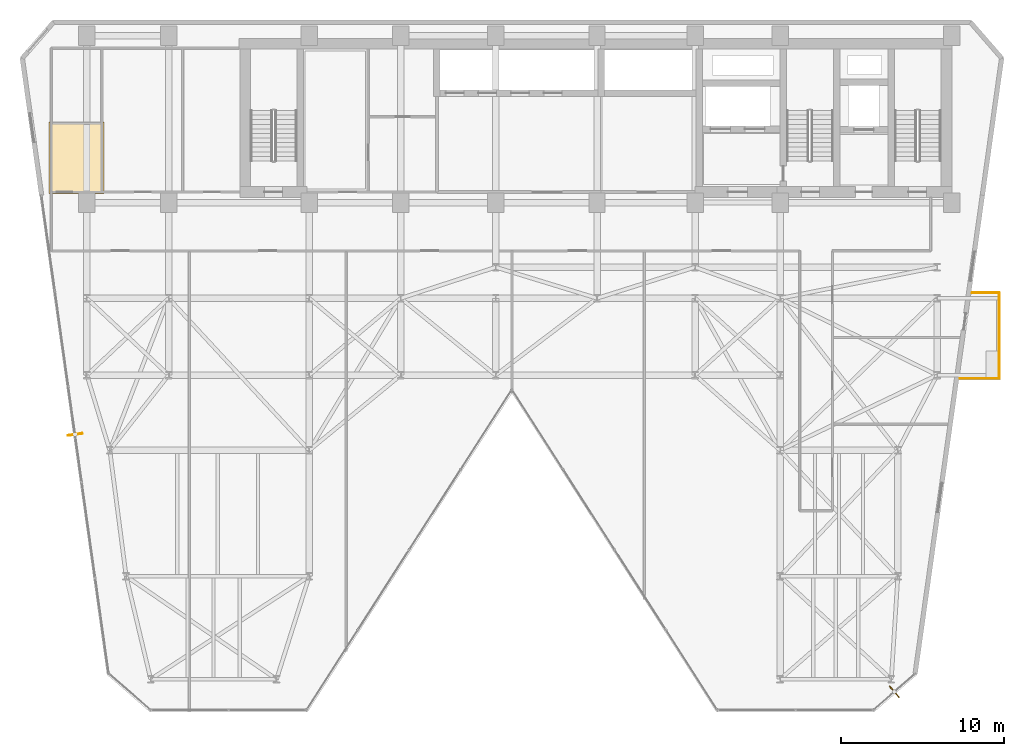
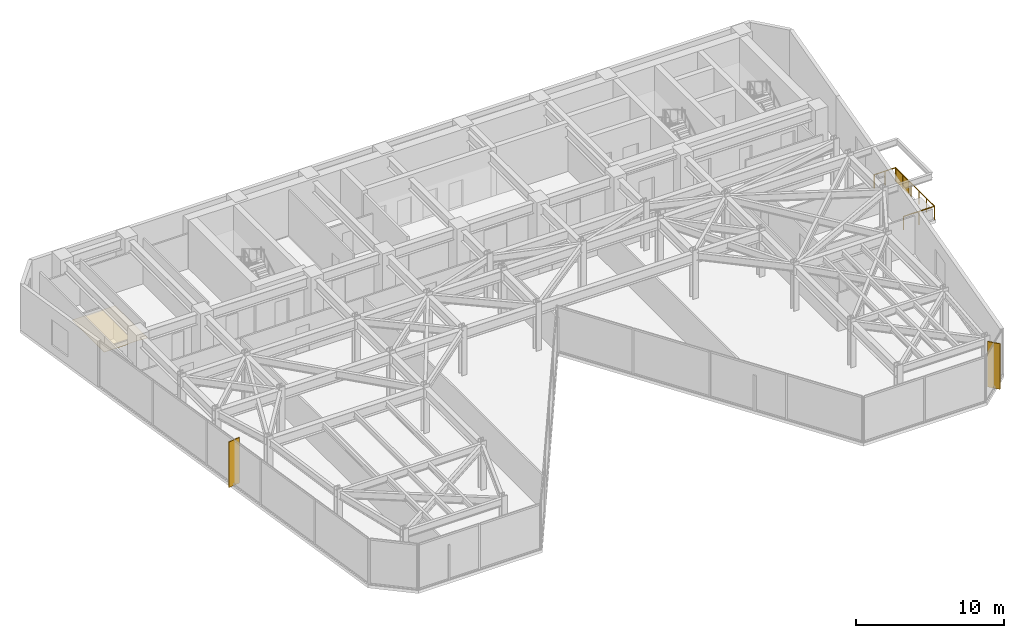
# One storey, part 24 of 26: 3 railings, 3 shading devices, 1 covering.
"""IFC4 building model written with IfcOpenShell, lengths in metres."""

from ifc_helpers import new_model, si_unit, direction, frame, origin, origin_2d, place, context, subcontext, project, spatial, polyline, rectangle, circle, outline, extrude, material, layer, layer_set, type_object, element, save


model = new_model("IFC4")

# Units and contexts
model_context = context("Model", 3, precision=1e-05, world=origin(), true_north=direction((0.0, 1.0)))
body_context = subcontext(model_context, "Body", "Model", "MODEL_VIEW")
ifc_project = project(units=[si_unit("LENGTHUNIT", "METRE"), si_unit("AREAUNIT", "SQUARE_METRE"), si_unit("VOLUMEUNIT", "CUBIC_METRE"), si_unit("PLANEANGLEUNIT", "RADIAN"), si_unit("MASSUNIT", "GRAM", prefix="KILO")], contexts=[model_context])

# Site, building, storey
site_placement = place(None, origin())
site = spatial("IfcSite", under=ifc_project, at=site_placement, CompositionType="ELEMENT")
building_placement = place(site_placement, origin())
building = spatial("IfcBuilding", under=site, at=building_placement, Name="Kravanh Interchange Tower", CompositionType="ELEMENT")
storey_placement = place(building_placement, frame((0.0, 0.0, 132.0)))
storey = spatial("IfcBuildingStorey", under=building, at=storey_placement, Name="L31", CompositionType="ELEMENT", Elevation=132.0)

# Covering
ifc_material_1 = material(Name="Acoustic Mineral Fibre Tile on Aluminium Grid", Category="aluminium")
ifc_layer_1 = layer(ifc_material_1, 0.02490234375)
ifc_layer_set_1 = layer_set([ifc_layer_1], Name="Perforated Acoustic Mineral Ceiling 25mm")
covering_type = type_object("IfcCoveringType", Name="Perforated Acoustic Mineral Ceiling 25mm", PredefinedType="CEILING", material=ifc_layer_set_1)
covering_placement = place(storey_placement, frame((0.0, 0.0, 2.550048828125)))
element("IfcCovering", 1, at=covering_placement, inside=storey, type_object=covering_type, Name="L31 Accessible WC Suspended Ceiling", PredefinedType="CEILING", context=body_context, shape_type="SweptSolid", body=[
    extrude(outline(polyline([(14.659912109375, 42.280029296875), (14.659912109375, 37.909912109375), (14.10009765625, 37.909912109375), (14.10009765625, 37.949951171875), (13.10009765625, 37.949951171875), (13.10009765625, 37.909912109375), (11.280029296875, 37.909912109375), (11.280029296875, 42.280029296875), (14.659912109375, 42.280029296875)])), origin(), (0.0, 0.0, 1.0), 0.02490234375),
])

# Shading device
ifc_material_2 = material(Name="Perforated Anodised Bronze Aluminium", Category="aluminium")
ifc_layer_2 = layer(ifc_material_2, 0.0400390625)
ifc_layer_set_2 = layer_set([ifc_layer_2], Name="Perforated Bronze Balcony Privacy Screen 1150mm")
shading_device_type_1 = type_object("IfcShadingDeviceType", Name="Perforated Bronze Balcony Privacy Screen 1150mm", PredefinedType="USERDEFINED", material=ifc_layer_set_2)
shading_device_placement = place(storey_placement, frame((69.409912109375, 30.860107421875, 0.0), z_axis=(0.0, 0.0, 1.0), x_axis=(1.0, 0.0, 0.0)))
element("IfcShadingDevice", 2, at=shading_device_placement, inside=storey, type_object=shading_device_type_1, Name="L31 E Perforated Bronze BALCONY SCREEN", ObjectType="SCREEN", PredefinedType="USERDEFINED", context=body_context, shape_type="SweptSolid", body=[
    extrude(rectangle(XDim=0.0400390625, YDim=1.800048828125, at=origin_2d()), origin(), (0.0, 0.0, 1.0), 1.14990234375),
])

# Railings
ifc_material_3 = material(Name="Stainless Steel 316", Category="steel")
ifc_layer_3 = layer(ifc_material_3, 0.06005859375)
ifc_layer_set_3 = layer_set([ifc_layer_3], Name="Perimeter Balcony and Terrace Guardrail Stainless 316 1120mm")
railing_type = type_object("IfcRailingType", Name="Perimeter Balcony and Terrace Guardrail Stainless 316 1120mm", PredefinedType="GUARDRAIL", material=ifc_layer_set_3)
railing_1_placement = place(storey_placement, frame((69.409912109375, 31.830078125, 0.0)))
element("IfcRailing", 3, at=railing_1_placement, inside=storey, type_object=railing_type, Name="L31 E Balcony Guardrail 1", PredefinedType="GUARDRAIL", context=body_context, shape_type="SweptSolid", body=[
    extrude(circle(Radius=0.02392578125, at=origin_2d()), frame((0.0, 0.0, 1.09619140625), z_axis=(0.0, -1.0, 0.0), x_axis=(1.0, 0.0, 0.0)), (0.0, 0.0, 1.0), 5.239990234375),
    extrude(circle(Radius=0.02099609375, at=origin_2d()), origin(), (0.0, 0.0, 1.0), 1.072021484375),
    extrude(circle(Radius=0.02099609375, at=origin_2d()), frame((0.0, -1.048095703125, 0.0)), (0.0, 0.0, 1.0), 1.072021484375),
    extrude(circle(Radius=0.02099609375, at=origin_2d()), frame((0.0, -2.095947265625, 0.0)), (0.0, 0.0, 1.0), 1.072021484375),
    extrude(circle(Radius=0.02099609375, at=origin_2d()), frame((0.0, -3.14404296875, 0.0)), (0.0, 0.0, 1.0), 1.072021484375),
    extrude(circle(Radius=0.02099609375, at=origin_2d()), frame((0.0, -4.19189453125, 0.0)), (0.0, 0.0, 1.0), 1.072021484375),
    extrude(circle(Radius=0.02099609375, at=origin_2d()), frame((0.0, -5.239990234375, 0.0)), (0.0, 0.0, 1.0), 1.072021484375),
])
railing_2_placement = place(storey_placement, frame((69.409912109375, 26.590087890625, 0.0)))
element("IfcRailing", 4, at=railing_2_placement, inside=storey, type_object=railing_type, Name="L31 E Balcony Guardrail 2", PredefinedType="GUARDRAIL", context=body_context, shape_type="SweptSolid", body=[
    extrude(circle(Radius=0.02392578125, at=origin_2d()), frame((0.0, 0.0, 1.09619140625), z_axis=(-1.0, 0.0, 0.0), x_axis=(0.0, -1.0, 0.0)), (0.0, 0.0, 1.0), 2.393310546875),
    extrude(circle(Radius=0.02099609375, at=origin_2d()), origin(), (0.0, 0.0, 1.0), 1.072021484375),
    extrude(circle(Radius=0.02099609375, at=origin_2d()), frame((-1.19677734375, 0.0, 0.0)), (0.0, 0.0, 1.0), 1.072021484375),
    extrude(circle(Radius=0.02099609375, at=origin_2d()), frame((-2.393310546875, 0.0, 0.0)), (0.0, 0.0, 1.0), 1.072021484375),
])
railing_3_placement = place(storey_placement, frame((67.753173828125, 31.830078125, 0.0)))
element("IfcRailing", 5, at=railing_3_placement, inside=storey, type_object=railing_type, Name="L31 E Balcony Guardrail 3", PredefinedType="GUARDRAIL", context=body_context, shape_type="SweptSolid", body=[
    extrude(circle(Radius=0.02392578125, at=origin_2d()), frame((0.0, 0.0, 1.09619140625), z_axis=(1.0, 0.0, 0.0), x_axis=(0.0, 1.0, 0.0)), (0.0, 0.0, 1.0), 1.65673828125),
    extrude(circle(Radius=0.02099609375, at=origin_2d()), origin(), (0.0, 0.0, 1.0), 1.072021484375),
    extrude(circle(Radius=0.02099609375, at=origin_2d()), frame((0.828369140625, 0.0, 0.0)), (0.0, 0.0, 1.0), 1.072021484375),
    extrude(circle(Radius=0.02099609375, at=origin_2d()), frame((1.65673828125, 0.0, 0.0)), (0.0, 0.0, 1.0), 1.072021484375),
])

# Shading devices
ifc_material_4 = material(Name="Anodised Champagne Bronze Aluminium", Category="aluminium")
ifc_layer_4 = layer(ifc_material_4, 0.06005859375)
ifc_layer_set_4 = layer_set([ifc_layer_4], Name="Vertical Bronze Solar Fin 900mm")
shading_device_type_2 = type_object("IfcShadingDeviceType", Name="Vertical Bronze Solar Fin 900mm", PredefinedType="USERDEFINED", material=ifc_layer_set_4)
for number, where, z_axis, x_axis, name in (
    (6, (12.881103515625, 23.16943359375, 0.0), (0.0, 0.0, 1.0), (-0.990268017027, -0.139173468924, 0.0), "L31 BRONZE SOLAR FIN 1"),
    (7, (62.986328125, 7.429443359375, 0.0), (0.0, 0.0, 1.0), (0.656056045951, -0.754712173329, 0.0), "L31 BRONZE SOLAR FIN 2"),
):
    element("IfcShadingDevice", number, at=place(storey_placement, frame(where, z_axis=z_axis, x_axis=x_axis)), inside=storey, type_object=shading_device_type_2, Name=name, ObjectType="FIN", PredefinedType="USERDEFINED", context=body_context, shape_type="SweptSolid", body=[
        extrude(rectangle(XDim=0.89990234375, YDim=0.06005859375, at=origin_2d()), origin(), (0.0, 0.0, 1.0), 3.75),
    ])

save(model, "model.ifc")
